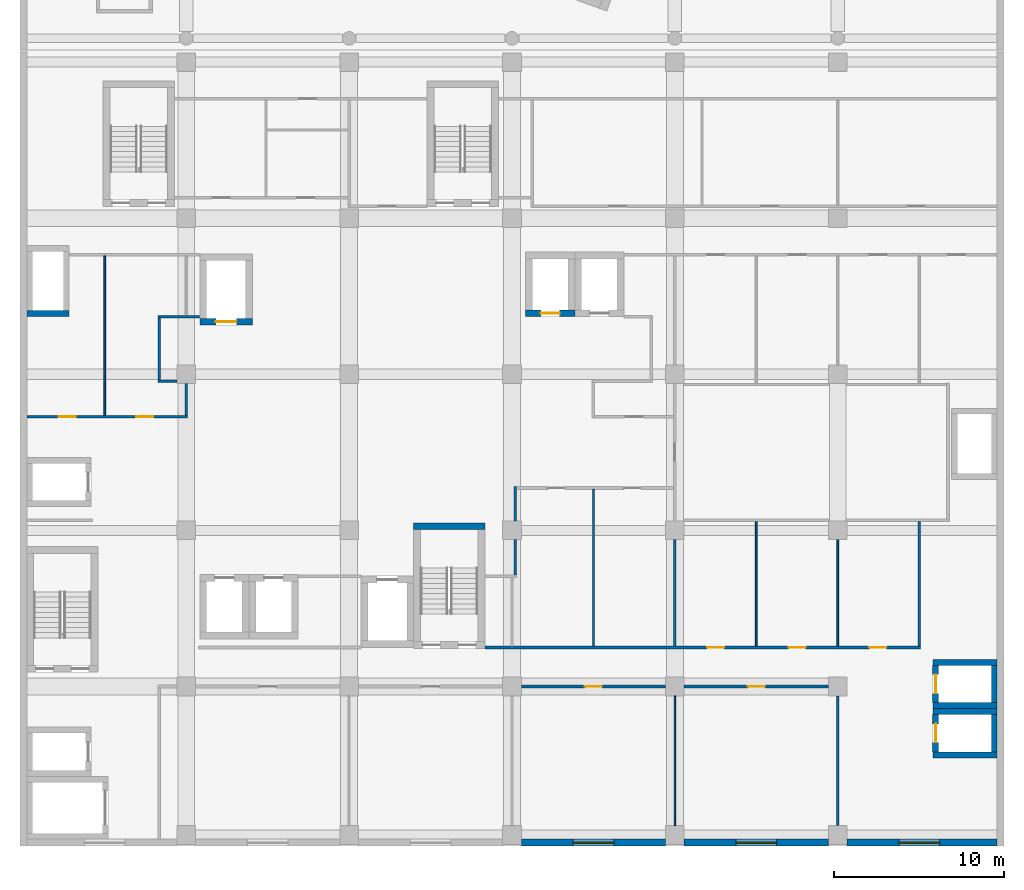
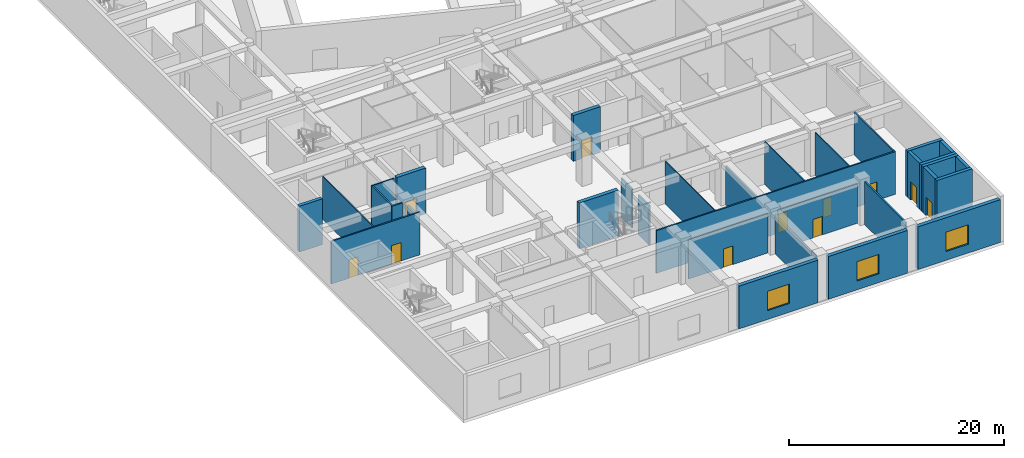
# One storey, part 9 of 31: 33 walls, 11 doors, 3 windows, 14 openings.
"""IFC4 building model written with IfcOpenShell, lengths in metres."""

import ifcopenshell
import ifcopenshell.guid

model = None  # the IFC model being written
_history = None  # IfcOwnerHistory: only IFC2X3 demands one
_inside = {}  # id of a spatial element -> (the spatial element, [elements in it])
_under = {}  # id of a project, library or spatial element -> (it, [spatial elements below it])
_declared = {}  # id of a project -> (the project, [libraries it declares])
_typed = {}  # id of a type object -> (the type object, [elements of that type])
_made_of = {}  # id of a material, layer set ... -> (it, [elements and type objects made of it])


def new_model(schema):
    """Start an empty IFC model of exactly this schema.

    Asked for "IFC4X3", IfcOpenShell would pick the latest addendum, in which some entities
    have other attributes; the version numbers below select the first issue.
    IFC2X3 requires an IfcOwnerHistory on every rooted entity: one is made here for all.
    """
    global model, _history
    if schema == "IFC4X3":
        model = ifcopenshell.file(schema_version=(4, 3, 0, 0))
    else:
        model = ifcopenshell.file(schema=schema)
    _inside.clear()
    _under.clear()
    _declared.clear()
    _typed.clear()
    _made_of.clear()
    _history = None
    if model.schema == "IFC2X3":
        org = make("IfcOrganization", Name="unknown")
        user = make(
            "IfcPersonAndOrganization",
            ThePerson=make("IfcPerson", FamilyName="unknown"),
            TheOrganization=org,
        )
        app = make(
            "IfcApplication",
            ApplicationDeveloper=org,
            Version="unknown",
            ApplicationFullName="unknown",
            ApplicationIdentifier="unknown",
        )
        _history = make(
            "IfcOwnerHistory",
            OwningUser=user,
            OwningApplication=app,
            ChangeAction="ADDED",
            CreationDate=0,
        )
    return model


def make(cls, **values):
    """One entity of the class cls with the attributes given. An attribute that is None is left unset."""
    return model.create_entity(
        cls, **{name: value for name, value in values.items() if value is not None}
    )


def rooted(cls, **values):
    """An entity with a GlobalId (a new one), such as an element, a storey or a relation."""
    return make(cls, GlobalId=ifcopenshell.guid.new(), OwnerHistory=_history, **values)


def si_unit(unit_type, name, prefix=None):
    """IfcSIUnit, for example si_unit("LENGTHUNIT", "METRE", prefix="MILLI")."""
    return make("IfcSIUnit", UnitType=unit_type, Prefix=prefix, Name=name)


def assignment(units):
    """IfcUnitAssignment: the units of a project."""
    return None if units is None else make("IfcUnitAssignment", Units=units)


def point(xyz):
    """IfcCartesianPoint."""
    return None if xyz is None else make("IfcCartesianPoint", Coordinates=xyz)


def direction(xyz):
    """IfcDirection."""
    return None if xyz is None else make("IfcDirection", DirectionRatios=xyz)


def frame(location, z_axis=None, x_axis=None):
    """IfcAxis2Placement3D, a coordinate frame: its origin and axes. An axis left out is left unset."""
    return make(
        "IfcAxis2Placement3D",
        Location=point(location),
        Axis=direction(z_axis),
        RefDirection=direction(x_axis),
    )


def frame_2d(location, x_axis=None):
    """IfcAxis2Placement2D, a coordinate frame in the plane: its origin and x axis."""
    return make(
        "IfcAxis2Placement2D", Location=point(location), RefDirection=direction(x_axis)
    )


def origin():
    """The frame at (0, 0, 0) with its axes left unset."""
    return frame((0.0, 0.0, 0.0))


def place(relative_to, where):
    """IfcLocalPlacement: puts the frame where relative to a parent placement (None: the world)."""
    return make(
        "IfcLocalPlacement", PlacementRelTo=relative_to, RelativePlacement=where
    )


def context(
    kind, dimensions, precision=None, world=None, true_north=None, identifier=None
):
    """IfcGeometricRepresentationContext, for example the 3D "Model" context."""
    return make(
        "IfcGeometricRepresentationContext",
        ContextIdentifier=identifier,
        ContextType=kind,
        CoordinateSpaceDimension=dimensions,
        Precision=precision,
        WorldCoordinateSystem=world,
        TrueNorth=true_north,
    )


def subcontext(parent, identifier, kind, view, scale=None):
    """IfcGeometricRepresentationSubContext, for example "Body" below "Model"."""
    return make(
        "IfcGeometricRepresentationSubContext",
        ContextIdentifier=identifier,
        ContextType=kind,
        ParentContext=parent,
        TargetScale=scale,
        TargetView=view,
    )


def project(units=None, contexts=None):
    """IfcProject with its units and contexts."""
    return rooted(
        "IfcProject",
        Name="project",
        RepresentationContexts=contexts,
        UnitsInContext=assignment(units),
    )


def spatial(cls, under=None, at=None, **own):
    """A site, building, storey or space (cls), placed at a placement, below another one or the project."""
    s = rooted(cls, ObjectPlacement=at, **own)
    if under is not None:
        _under.setdefault(under.id(), (under, []))[1].append(s)
    return s


def profile(cls, at=None, kind="AREA", **sizes):
    """A parametric profile (cls). Its sizes go by their IFC names, for example OverallWidth=200.0."""
    return make(cls, ProfileType=kind, Position=at, **sizes)


def rectangle(**sizes):
    """IfcRectangleProfileDef."""
    return profile("IfcRectangleProfileDef", **sizes)


def extrude(swept, where, along, depth):
    """IfcExtrudedAreaSolid: the profile swept, set in the frame where, extruded along a direction by depth."""
    return make(
        "IfcExtrudedAreaSolid",
        SweptArea=swept,
        Position=where,
        ExtrudedDirection=direction(along),
        Depth=depth,
    )


def shape(context_of_items, identifier, shape_type, items):
    """IfcShapeRepresentation: the items that make up one representation, for example the "Body"."""
    return make(
        "IfcShapeRepresentation",
        ContextOfItems=context_of_items,
        RepresentationIdentifier=identifier,
        RepresentationType=shape_type,
        Items=items,
    )


def material(Name=None, Category=None):
    """IfcMaterial."""
    return make("IfcMaterial", Name=Name, Category=Category)


def layer(
    of_material, thickness, ventilated=None, Name=None, Category=None, Priority=None
):
    """IfcMaterialLayer: one layer of a wall or slab, of a material (None: an air gap)."""
    return make(
        "IfcMaterialLayer",
        Material=of_material,
        LayerThickness=thickness,
        IsVentilated=ventilated,
        Name=Name,
        Category=Category,
        Priority=Priority,
    )


def layer_set(layers, Name=None):
    """IfcMaterialLayerSet."""
    return make("IfcMaterialLayerSet", MaterialLayers=layers, LayerSetName=Name)


def layer_usage(for_layer_set, set_direction, sense, offset, extent=None):
    """IfcMaterialLayerSetUsage: how a layer set lies in its element."""
    return make(
        "IfcMaterialLayerSetUsage",
        ForLayerSet=for_layer_set,
        LayerSetDirection=set_direction,
        DirectionSense=sense,
        OffsetFromReferenceLine=offset,
        ReferenceExtent=extent,
    )


def made_of(thing, what):
    """Note that an element or type object is made of a material, layer set ...; save() writes the relation."""
    if what is not None:
        _made_of.setdefault(what.id(), (what, []))[1].append(thing)
    return thing


def type_object(cls, material=None, **own):
    """A type object (cls), such as IfcWallType, which elements share."""
    return made_of(rooted(cls, **own), material)


def element(
    cls,
    number,
    at=None,
    inside=None,
    cuts=None,
    type_object=None,
    material=None,
    context=None,
    identifier="Body",
    shape_type=None,
    held_by="IfcProductDefinitionShape",
    body=None,
    shapes=None,
    **own,
):
    """One element of the class cls, such as IfcWall. Its Tag is "e" and its number.

    at: its placement. inside: the storey or other place that contains it. cuts: it is an
    opening in that element (IfcRelVoidsElement). A single representation is given by context,
    identifier, shape_type and body (its items); several are given by shapes. held_by: the class
    of the entity that holds the representations. save() writes the other relations.
    """
    e = rooted(cls, Tag="e%d" % number, ObjectPlacement=at, **own)
    if body is not None:
        shapes = [shape(context, identifier, shape_type, body)]
    if shapes is not None:
        e.Representation = make(held_by, Representations=shapes)
    if inside is not None:
        _inside.setdefault(inside.id(), (inside, []))[1].append(e)
    if cuts is not None:
        rooted(
            "IfcRelVoidsElement", RelatingBuildingElement=cuts, RelatedOpeningElement=e
        )
    if type_object is not None:
        _typed.setdefault(type_object.id(), (type_object, []))[1].append(e)
    return made_of(e, material)


def fill(opening, filler):
    """IfcRelFillsElement: the door or window that sits in an opening."""
    return rooted(
        "IfcRelFillsElement",
        RelatingOpeningElement=opening,
        RelatedBuildingElement=filler,
    )


def aggregate(whole, parts):
    """IfcRelAggregates: a whole, such as a stair, and the parts it consists of."""
    return rooted("IfcRelAggregates", RelatingObject=whole, RelatedObjects=parts)


def save(model, path):
    """Write the relations noted so far, then the file.

    IfcRelAggregates (storeys below a building ...), IfcRelContainedInSpatialStructure (elements
    in a storey), IfcRelDefinesByType, IfcRelAssociatesMaterial and IfcRelDeclares: one each for
    every whole, place, type object, material and project.
    """
    for whole, parts in _under.values():
        aggregate(whole, parts)
    for where, things in _inside.values():
        rooted(
            "IfcRelContainedInSpatialStructure",
            RelatedElements=things,
            RelatingStructure=where,
        )
    for kind, things in _typed.values():
        rooted("IfcRelDefinesByType", RelatedObjects=things, RelatingType=kind)
    for what, things in _made_of.values():
        rooted("IfcRelAssociatesMaterial", RelatedObjects=things, RelatingMaterial=what)
    for by, libraries in _declared.values():
        rooted("IfcRelDeclares", RelatingContext=by, RelatedDefinitions=libraries)
    model.write(path)


model = new_model("IFC4")

# Units and contexts
model_context = context("Model", 3, precision=1e-05, world=origin(), true_north=direction((0.0, 1.0)))
body_context = subcontext(model_context, "Body", "Model", "MODEL_VIEW")
ifc_project = project(units=[si_unit("LENGTHUNIT", "METRE"), si_unit("AREAUNIT", "SQUARE_METRE"), si_unit("VOLUMEUNIT", "CUBIC_METRE"), si_unit("PLANEANGLEUNIT", "RADIAN"), si_unit("MASSUNIT", "GRAM", prefix="KILO")], contexts=[model_context])

# Site, building, storey
site_placement = place(None, origin())
site = spatial("IfcSite", under=ifc_project, at=site_placement, CompositionType="ELEMENT")
building_placement = place(site_placement, origin())
building = spatial("IfcBuilding", under=site, at=building_placement, Name="Nzadi Deep Aquarium and Research Tower", CompositionType="ELEMENT")
storey_placement = place(building_placement, frame((0.0, 0.0, 26.699951171875)))
storey = spatial("IfcBuildingStorey", under=building, at=storey_placement, Name="L04", CompositionType="ELEMENT", Elevation=26.699951171875)

# Walls
ifc_material_1 = material(Name="Blockwork masonry", Category="masonry")
ifc_layer_1 = layer(ifc_material_1, 0.10009765625)
ifc_layer_set_1 = layer_set([ifc_layer_1], Name="Blockwork masonry")
wall_type_1 = type_object("IfcWallType", Name="Partition 100 EI 30", PredefinedType="PARTITIONING", material=ifc_layer_set_1)
wall_1_placement = place(storey_placement, frame((4.800048828125, 25.175048828125, 0.0), z_axis=(0.0, 0.0, 1.0), x_axis=(0.0, 1.0, 0.0)))
element("IfcWall", 1, at=wall_1_placement, inside=storey, type_object=wall_type_1, Name="W-Z1-L04-P004", PredefinedType="PARTITIONING", context=body_context, shape_type="SweptSolid", body=[
    extrude(rectangle(XDim=9.39990234375, YDim=0.10009765625, at=frame_2d((4.699951171875, 0.0))), origin(), (0.0, 0.0, 1.0), 4.85009765625),
])
wall_2_placement = place(storey_placement, frame((33.60009765625, 11.574951171875, 0.0), z_axis=(0.0, 0.0, 1.0), x_axis=(0.0, 1.0, 0.0)))
element("IfcWall", 2, at=wall_2_placement, inside=storey, type_object=wall_type_1, Name="W-Z1-L04-P037", PredefinedType="PARTITIONING", context=body_context, shape_type="SweptSolid", body=[
    extrude(rectangle(XDim=9.25, YDim=0.10009765625, at=frame_2d((4.625, 0.0))), origin(), (0.0, 0.0, 1.0), 4.85009765625),
])
wall_3_placement = place(storey_placement, frame((43.199951171875, 11.574951171875, 0.0), z_axis=(0.0, 0.0, 1.0), x_axis=(0.0, 1.0, 0.0)))
element("IfcWall", 3, at=wall_3_placement, inside=storey, type_object=wall_type_1, Name="W-Z1-L04-P050", PredefinedType="PARTITIONING", context=body_context, shape_type="SweptSolid", body=[
    extrude(rectangle(XDim=7.35009765625, YDim=0.10009765625, at=frame_2d((3.675048828125, 0.0))), origin(), (0.0, 0.0, 1.0), 4.85009765625),
])
wall_4_placement = place(storey_placement, frame((48.0, 11.574951171875, 0.0), z_axis=(0.0, 0.0, 1.0), x_axis=(0.0, 1.0, 0.0)))
element("IfcWall", 4, at=wall_4_placement, inside=storey, type_object=wall_type_1, Name="W-Z1-L04-P053", PredefinedType="PARTITIONING", context=body_context, shape_type="SweptSolid", body=[
    extrude(rectangle(XDim=6.275146484375, YDim=0.10009765625, at=frame_2d((3.1376953125, 0.0))), origin(), (0.0, 0.0, 1.0), 4.85009765625),
])
ifc_material_2 = material(Name="Blockwork masonry", Category="masonry")
ifc_layer_2 = layer(ifc_material_2, 0.10009765625)
ifc_layer_set_2 = layer_set([ifc_layer_2], Name="Blockwork masonry")
wall_type_2 = type_object("IfcWallType", Name="Partition 100 EI 30, 4.45 m high", PredefinedType="PARTITIONING", material=ifc_layer_set_2)
wall_5_placement = place(storey_placement, frame((38.39990234375, 1.0, 0.0), z_axis=(0.0, 0.0, 1.0), x_axis=(0.0, 1.0, 0.0)))
element("IfcWall", 5, at=wall_5_placement, inside=storey, type_object=wall_type_2, Name="W-Z1-L04-P045", PredefinedType="PARTITIONING", context=body_context, shape_type="SweptSolid", body=[
    extrude(rectangle(XDim=7.64990234375, YDim=0.10009765625, at=frame_2d((3.824951171875, 0.0))), origin(), (0.0, 0.0, 1.0), 4.449951171875),
])

# Wall, openings, doors
ifc_material_3 = material(Name="Blockwork masonry", Category="masonry")
ifc_layer_3 = layer(ifc_material_3, 0.14990234375)
ifc_layer_set_3 = layer_set([ifc_layer_3], Name="Blockwork masonry")
wall_type_3 = type_object("IfcWallType", Name="Partition 150 EI 60", PredefinedType="PARTITIONING", material=ifc_layer_set_3)
wall_6_placement = place(storey_placement, frame((0.2060546875, 25.10009765625, 0.0), z_axis=(0.0, 0.0, 1.0), x_axis=(1.0, 0.0, 0.0)))
wall_6 = element("IfcWall", 6, at=wall_6_placement, inside=storey, type_object=wall_type_3, Name="W-Z1-L04-P002", PredefinedType="PARTITIONING", context=body_context, shape_type="SweptSolid", body=[
    extrude(rectangle(XDim=9.468994140625, YDim=0.14990234375, at=frame_2d((4.734375, 0.0))), origin(), (0.0, 0.0, 1.0), 4.85009765625),
])
opening_1_placement = place(wall_6_placement, frame((1.868896484375, 0.0, 0.0)))
opening_1 = element("IfcOpeningElement", 7, at=opening_1_placement, cuts=wall_6, Name="Opening D051006", PredefinedType="OPENING", context=body_context, shape_type="SweptSolid", body=[
    extrude(rectangle(XDim=1.0, YDim=2.10009765625, at=frame_2d((0.5, 1.050048828125))), frame((0.0, 0.0849609375, 0.0), z_axis=(0.0, -1.0, 0.0), x_axis=(1.0, 0.0, 0.0)), (0.0, 0.0, 1.0), 0.169921875),
])
opening_2_placement = place(wall_6_placement, frame((6.458984375, 0.0, 0.0)))
opening_2 = element("IfcOpeningElement", 8, at=opening_2_placement, cuts=wall_6, Name="Opening D051007", PredefinedType="OPENING", context=body_context, shape_type="SweptSolid", body=[
    extrude(rectangle(XDim=1.0, YDim=2.10009765625, at=frame_2d((0.5, 1.050048828125))), frame((0.0, 0.0849609375, 0.0), z_axis=(0.0, -1.0, 0.0), x_axis=(1.0, 0.0, 0.0)), (0.0, 0.0, 1.0), 0.169921875),
])
ifc_material_4 = material(Name="Fire-rated steel door", Category="steel")
ifc_layer_4 = layer(ifc_material_4, 0.050048828125)
ifc_layer_set_4 = layer_set([ifc_layer_4], Name="Fire-rated steel door")
door_type_1 = type_object("IfcDoorType", Name="Door 1000x2100 EI 60 single", OperationType="SINGLE_SWING_LEFT", PredefinedType="DOOR", material=ifc_layer_set_4)
door_1_placement = place(opening_1_placement, origin())
door_1 = element("IfcDoor", 9, at=door_1_placement, inside=storey, type_object=door_type_1, Name="D051006", OperationType="SINGLE_SWING_LEFT", OverallHeight=2.10009765625, OverallWidth=1.0, PredefinedType="DOOR", context=body_context, shape_type="SweptSolid", body=[
    extrude(rectangle(XDim=1.0, YDim=2.10009765625, at=frame_2d((0.5, 1.050048828125))), frame((0.0, 0.02490234375, 0.0), z_axis=(0.0, -1.0, 0.0), x_axis=(1.0, 0.0, 0.0)), (0.0, 0.0, 1.0), 0.050048828125),
])
fill(opening_1, door_1)
door_2_placement = place(opening_2_placement, origin())
door_2 = element("IfcDoor", 10, at=door_2_placement, inside=storey, type_object=door_type_1, Name="D051007", OperationType="SINGLE_SWING_RIGHT", OverallHeight=2.10009765625, OverallWidth=1.0, PredefinedType="DOOR", context=body_context, shape_type="SweptSolid", body=[
    extrude(rectangle(XDim=1.0, YDim=2.10009765625, at=frame_2d((0.5, 1.050048828125))), frame((0.0, 0.02490234375, 0.0), z_axis=(0.0, -1.0, 0.0), x_axis=(1.0, 0.0, 0.0)), (0.0, 0.0, 1.0), 0.050048828125),
])
fill(opening_2, door_2)

# Walls
wall_7_placement = place(storey_placement, frame((7.925048828125, 27.199951171875, 0.0), z_axis=(0.0, 0.0, 1.0), x_axis=(1.0, 0.0, 0.0)))
element("IfcWall", 11, at=wall_7_placement, inside=storey, type_object=wall_type_3, Name="W-Z1-L04-P007", PredefinedType="PARTITIONING", context=body_context, shape_type="SweptSolid", body=[
    extrude(rectangle(XDim=1.125, YDim=0.14990234375, at=frame_2d((0.5625, 0.0))), origin(), (0.0, 0.0, 1.0), 4.85009765625),
])
wall_8_placement = place(storey_placement, frame((8.0, 27.27490234375, 0.0), z_axis=(0.0, 0.0, 1.0), x_axis=(0.0, 1.0, 0.0)))
element("IfcWall", 12, at=wall_8_placement, inside=storey, type_object=wall_type_3, Name="W-Z1-L04-P008", PredefinedType="PARTITIONING", context=body_context, shape_type="SweptSolid", body=[
    extrude(rectangle(XDim=3.650146484375, YDim=0.14990234375, at=frame_2d((1.8251953125, 0.0))), origin(), (0.0, 0.0, 1.0), 4.85009765625),
])
wall_9_placement = place(storey_placement, frame((7.925048828125, 31.0, 0.0), z_axis=(0.0, 0.0, 1.0), x_axis=(1.0, 0.0, 0.0)))
element("IfcWall", 13, at=wall_9_placement, inside=storey, type_object=wall_type_3, Name="W-Z1-L04-P009", PredefinedType="PARTITIONING", context=body_context, shape_type="SweptSolid", body=[
    extrude(rectangle(XDim=2.468994140625, YDim=0.14990234375, at=frame_2d((1.234375, 0.0))), origin(), (0.0, 0.0, 1.0), 4.85009765625),
])

# Wall, openings, doors
wall_10_placement = place(storey_placement, frame((27.2060546875, 11.5, 0.0), z_axis=(0.0, 0.0, 1.0), x_axis=(1.0, 0.0, 0.0)))
wall_10 = element("IfcWall", 14, at=wall_10_placement, inside=storey, type_object=wall_type_3, Name="W-Z1-L04-P023", PredefinedType="PARTITIONING", context=body_context, shape_type="SweptSolid", body=[
    extrude(rectangle(XDim=25.6689453125, YDim=0.14990234375, at=frame_2d((12.83447265625, 0.0))), origin(), (0.0, 0.0, 1.0), 4.85009765625),
])
opening_3_placement = place(wall_10_placement, frame((13.093994140625, 0.0, 0.0)))
opening_3 = element("IfcOpeningElement", 15, at=opening_3_placement, cuts=wall_10, Name="Opening D051003", PredefinedType="OPENING", context=body_context, shape_type="SweptSolid", body=[
    extrude(rectangle(XDim=1.0, YDim=2.10009765625, at=frame_2d((0.5, 1.050048828125))), frame((0.0, 0.0849609375, 0.0), z_axis=(0.0, -1.0, 0.0), x_axis=(1.0, 0.0, 0.0)), (0.0, 0.0, 1.0), 0.169921875),
])
opening_4_placement = place(wall_10_placement, frame((17.89404296875, 0.0, 0.0)))
opening_4 = element("IfcOpeningElement", 16, at=opening_4_placement, cuts=wall_10, Name="Opening D051004", PredefinedType="OPENING", context=body_context, shape_type="SweptSolid", body=[
    extrude(rectangle(XDim=1.0, YDim=2.10009765625, at=frame_2d((0.5, 1.050048828125))), frame((0.0, 0.0849609375, 0.0), z_axis=(0.0, -1.0, 0.0), x_axis=(1.0, 0.0, 0.0)), (0.0, 0.0, 1.0), 0.169921875),
])
opening_5_placement = place(wall_10_placement, frame((22.658935546875, 0.0, 0.0)))
opening_5 = element("IfcOpeningElement", 17, at=opening_5_placement, cuts=wall_10, Name="Opening D051005", PredefinedType="OPENING", context=body_context, shape_type="SweptSolid", body=[
    extrude(rectangle(XDim=1.0, YDim=2.10009765625, at=frame_2d((0.5, 1.050048828125))), frame((0.0, 0.0849609375, 0.0), z_axis=(0.0, -1.0, 0.0), x_axis=(1.0, 0.0, 0.0)), (0.0, 0.0, 1.0), 0.169921875),
])
door_3_placement = place(opening_3_placement, origin())
door_3 = element("IfcDoor", 18, at=door_3_placement, inside=storey, type_object=door_type_1, Name="D051003", OperationType="SINGLE_SWING_RIGHT", OverallHeight=2.10009765625, OverallWidth=1.0, PredefinedType="DOOR", context=body_context, shape_type="SweptSolid", body=[
    extrude(rectangle(XDim=1.0, YDim=2.10009765625, at=frame_2d((0.5, 1.050048828125))), frame((0.0, 0.02490234375, 0.0), z_axis=(0.0, -1.0, 0.0), x_axis=(1.0, 0.0, 0.0)), (0.0, 0.0, 1.0), 0.050048828125),
])
fill(opening_3, door_3)
door_4_placement = place(opening_4_placement, origin())
door_4 = element("IfcDoor", 19, at=door_4_placement, inside=storey, type_object=door_type_1, Name="D051004", OperationType="SINGLE_SWING_RIGHT", OverallHeight=2.10009765625, OverallWidth=1.0, PredefinedType="DOOR", context=body_context, shape_type="SweptSolid", body=[
    extrude(rectangle(XDim=1.0, YDim=2.10009765625, at=frame_2d((0.5, 1.050048828125))), frame((0.0, 0.02490234375, 0.0), z_axis=(0.0, -1.0, 0.0), x_axis=(1.0, 0.0, 0.0)), (0.0, 0.0, 1.0), 0.050048828125),
])
fill(opening_4, door_4)
door_5_placement = place(opening_5_placement, origin())
door_5 = element("IfcDoor", 20, at=door_5_placement, inside=storey, type_object=door_type_1, Name="D051005", OperationType="SINGLE_SWING_RIGHT", OverallHeight=2.10009765625, OverallWidth=1.0, PredefinedType="DOOR", context=body_context, shape_type="SweptSolid", body=[
    extrude(rectangle(XDim=1.0, YDim=2.10009765625, at=frame_2d((0.5, 1.050048828125))), frame((0.0, 0.02490234375, 0.0), z_axis=(0.0, -1.0, 0.0), x_axis=(1.0, 0.0, 0.0)), (0.0, 0.0, 1.0), 0.050048828125),
])
fill(opening_5, door_5)

# Walls
wall_11_placement = place(storey_placement, frame((48.0, 1.0, 0.0), z_axis=(0.0, 0.0, 1.0), x_axis=(0.0, 1.0, 0.0)))
element("IfcWall", 21, at=wall_11_placement, inside=storey, type_object=wall_type_3, Name="W-Z1-L04-P052", PredefinedType="PARTITIONING", context=body_context, shape_type="SweptSolid", body=[
    extrude(rectangle(XDim=7.64990234375, YDim=0.14990234375, at=frame_2d((3.824951171875, 0.0))), origin(), (0.0, 0.0, 1.0), 4.85009765625),
])
wall_12_placement = place(storey_placement, frame((52.800048828125, 11.574951171875, 0.0), z_axis=(0.0, 0.0, 1.0), x_axis=(0.0, 1.0, 0.0)))
element("IfcWall", 22, at=wall_12_placement, inside=storey, type_object=wall_type_3, Name="W-Z1-L04-P058", PredefinedType="PARTITIONING", context=body_context, shape_type="SweptSolid", body=[
    extrude(rectangle(XDim=7.35009765625, YDim=0.14990234375, at=frame_2d((3.675048828125, 0.0))), origin(), (0.0, 0.0, 1.0), 4.85009765625),
])
ifc_material_5 = material(Name="Blockwork masonry", Category="masonry")
ifc_layer_5 = layer(ifc_material_5, 0.14990234375)
ifc_layer_set_5 = layer_set([ifc_layer_5], Name="Blockwork masonry")
wall_type_4 = type_object("IfcWallType", Name="Partition 150 EI 60, 4.45 m high", PredefinedType="PARTITIONING", material=ifc_layer_set_5)
wall_13_placement = place(storey_placement, frame((9.60009765625, 25.175048828125, 0.0), z_axis=(0.0, 0.0, 1.0), x_axis=(0.0, 1.0, 0.0)))
element("IfcWall", 23, at=wall_13_placement, inside=storey, type_object=wall_type_4, Name="W-Z1-L04-P012", PredefinedType="PARTITIONING", context=body_context, shape_type="SweptSolid", body=[
    extrude(rectangle(XDim=1.875, YDim=0.14990234375, at=frame_2d((0.9375, 0.0))), origin(), (0.0, 0.0, 1.0), 4.449951171875),
])
wall_14_placement = place(storey_placement, frame((29.0, 15.77490234375, 0.0), z_axis=(0.0, 0.0, 1.0), x_axis=(0.0, 1.0, 0.0)))
element("IfcWall", 24, at=wall_14_placement, inside=storey, type_object=wall_type_4, Name="W-Z1-L04-P029", PredefinedType="PARTITIONING", context=body_context, shape_type="SweptSolid", body=[
    extrude(rectangle(XDim=2.0751953125, YDim=0.14990234375, at=frame_2d((1.03759765625, 0.0))), origin(), (0.0, 0.0, 1.0), 4.449951171875),
])
wall_15_placement = place(storey_placement, frame((29.0, 18.949951171875, 0.0), z_axis=(0.0, 0.0, 1.0), x_axis=(0.0, 1.0, 0.0)))
element("IfcWall", 25, at=wall_15_placement, inside=storey, type_object=wall_type_4, Name="W-Z1-L04-P030", PredefinedType="PARTITIONING", context=body_context, shape_type="SweptSolid", body=[
    extrude(rectangle(XDim=2.025146484375, YDim=0.14990234375, at=frame_2d((1.0126953125, 0.0))), origin(), (0.0, 0.0, 1.0), 4.449951171875),
])

# Wall, opening, door
wall_16_placement = place(storey_placement, frame((29.35009765625, 9.199951171875, 0.0), z_axis=(0.0, 0.0, 1.0), x_axis=(1.0, 0.0, 0.0)))
wall_16 = element("IfcWall", 26, at=wall_16_placement, inside=storey, type_object=wall_type_4, Name="W-Z1-L04-P032", PredefinedType="PARTITIONING", context=body_context, shape_type="SweptSolid", body=[
    extrude(rectangle(XDim=8.5, YDim=0.14990234375, at=frame_2d((4.25, 0.0))), origin(), (0.0, 0.0, 1.0), 4.449951171875),
])
opening_6_placement = place(wall_16_placement, frame((3.75, 0.0, 0.0)))
opening_6 = element("IfcOpeningElement", 27, at=opening_6_placement, cuts=wall_16, Name="Opening D051015", PredefinedType="OPENING", context=body_context, shape_type="SweptSolid", body=[
    extrude(rectangle(XDim=1.0, YDim=2.10009765625, at=frame_2d((0.5, 1.050048828125))), frame((0.0, 0.0849609375, 0.0), z_axis=(0.0, -1.0, 0.0), x_axis=(1.0, 0.0, 0.0)), (0.0, 0.0, 1.0), 0.169921875),
])
door_6_placement = place(opening_6_placement, origin())
door_6 = element("IfcDoor", 28, at=door_6_placement, inside=storey, type_object=door_type_1, Name="D051015", OperationType="SINGLE_SWING_RIGHT", OverallHeight=2.10009765625, OverallWidth=1.0, PredefinedType="DOOR", context=body_context, shape_type="SweptSolid", body=[
    extrude(rectangle(XDim=1.0, YDim=2.10009765625, at=frame_2d((0.5, 1.050048828125))), frame((0.0, 0.02490234375, 0.0), z_axis=(0.0, -1.0, 0.0), x_axis=(1.0, 0.0, 0.0)), (0.0, 0.0, 1.0), 0.050048828125),
])
fill(opening_6, door_6)

# Wall
wall_17_placement = place(storey_placement, frame((38.39990234375, 11.574951171875, 0.0), z_axis=(0.0, 0.0, 1.0), x_axis=(0.0, 1.0, 0.0)))
element("IfcWall", 29, at=wall_17_placement, inside=storey, type_object=wall_type_4, Name="W-Z1-L04-P042", PredefinedType="PARTITIONING", context=body_context, shape_type="SweptSolid", body=[
    extrude(rectangle(XDim=6.275146484375, YDim=0.14990234375, at=frame_2d((3.1376953125, 0.0))), origin(), (0.0, 0.0, 1.0), 4.449951171875),
])

# Wall, opening, door
wall_18_placement = place(storey_placement, frame((38.949951171875, 9.199951171875, 0.0), z_axis=(0.0, 0.0, 1.0), x_axis=(1.0, 0.0, 0.0)))
wall_18 = element("IfcWall", 30, at=wall_18_placement, inside=storey, type_object=wall_type_4, Name="W-Z1-L04-P046", PredefinedType="PARTITIONING", context=body_context, shape_type="SweptSolid", body=[
    extrude(rectangle(XDim=8.5, YDim=0.14990234375, at=frame_2d((4.25, 0.0))), origin(), (0.0, 0.0, 1.0), 4.449951171875),
])
opening_7_placement = place(wall_18_placement, frame((3.75, 0.0, 0.0)))
opening_7 = element("IfcOpeningElement", 31, at=opening_7_placement, cuts=wall_18, Name="Opening D051016", PredefinedType="OPENING", context=body_context, shape_type="SweptSolid", body=[
    extrude(rectangle(XDim=1.0, YDim=2.10009765625, at=frame_2d((0.5, 1.050048828125))), frame((0.0, 0.0849609375, 0.0), z_axis=(0.0, -1.0, 0.0), x_axis=(1.0, 0.0, 0.0)), (0.0, 0.0, 1.0), 0.169921875),
])
door_7_placement = place(opening_7_placement, origin())
door_7 = element("IfcDoor", 32, at=door_7_placement, inside=storey, type_object=door_type_1, Name="D051016", OperationType="SINGLE_SWING_LEFT", OverallHeight=2.10009765625, OverallWidth=1.0, PredefinedType="DOOR", context=body_context, shape_type="SweptSolid", body=[
    extrude(rectangle(XDim=1.0, YDim=2.10009765625, at=frame_2d((0.5, 1.050048828125))), frame((0.0, 0.02490234375, 0.0), z_axis=(0.0, -1.0, 0.0), x_axis=(1.0, 0.0, 0.0)), (0.0, 0.0, 1.0), 0.050048828125),
])
fill(opening_7, door_7)

# Walls
ifc_material_6 = material(Name="Concrete C35/45", Category="concrete")
ifc_layer_6 = layer(ifc_material_6, 0.35009765625)
ifc_layer_set_6 = layer_set([ifc_layer_6], Name="Concrete C35/45")
wall_type_5 = type_object("IfcWallType", Name="RC core wall 350", PredefinedType="SHEAR", material=ifc_layer_set_6)
for number, where, z_axis, x_axis, name in (
    (33, (53.60009765625, 5.175048828125, 0.0), (0.0, 0.0, 1.0), (1.0, 0.0, 0.0), "W-CORE-EL2-L04-S"),
    (34, (53.60009765625, 7.72509765625, 0.0), (0.0, 0.0, 1.0), (1.0, 0.0, 0.0), "W-CORE-EL2-L04-N"),
):
    element("IfcWall", number, at=place(storey_placement, frame(where, z_axis=z_axis, x_axis=x_axis)), inside=storey, type_object=wall_type_5, Name=name, PredefinedType="SHEAR", context=body_context, shape_type="SweptSolid", body=[
        extrude(rectangle(XDim=3.7998046875, YDim=0.35009765625, at=frame_2d((1.89990234375, 0.0))), origin(), (0.0, 0.0, 1.0), 5.199951171875),
    ])

# Wall, opening, door
wall_19_placement = place(storey_placement, frame((53.77490234375, 5.35009765625, 0.0), z_axis=(0.0, 0.0, 1.0), x_axis=(0.0, 1.0, 0.0)))
wall_19 = element("IfcWall", 35, at=wall_19_placement, inside=storey, type_object=wall_type_5, Name="W-CORE-EL2-L04-W", PredefinedType="SHEAR", context=body_context, shape_type="SweptSolid", body=[
    extrude(rectangle(XDim=2.199951171875, YDim=0.35009765625, at=frame_2d((1.10009765625, 0.0))), origin(), (0.0, 0.0, 1.0), 5.199951171875),
])
opening_8_placement = place(wall_19_placement, frame((0.550048828125, 0.0, 0.0)))
opening_8 = element("IfcOpeningElement", 36, at=opening_8_placement, cuts=wall_19, Name="Opening LD-EL2-L04", PredefinedType="OPENING", context=body_context, shape_type="SweptSolid", body=[
    extrude(rectangle(XDim=1.10009765625, YDim=2.10009765625, at=frame_2d((0.550048828125, 1.050048828125))), frame((0.0, 0.18505859375, 0.0), z_axis=(0.0, -1.0, 0.0), x_axis=(1.0, 0.0, 0.0)), (0.0, 0.0, 1.0), 0.3701171875),
])
ifc_material_7 = material(Name="Stainless steel 1.4301", Category="steel")
door_type_2 = type_object("IfcDoorType", Name="LANDING DOOR 1100x2100", OperationType="DOUBLE_DOOR_SLIDING", PredefinedType="DOOR", material=ifc_material_7)
door_8_placement = place(opening_8_placement, origin())
door_8 = element("IfcDoor", 37, at=door_8_placement, inside=storey, type_object=door_type_2, Name="Landing door EL2 L04", OperationType="DOUBLE_DOOR_SLIDING", OverallHeight=2.10009765625, OverallWidth=1.10009765625, PredefinedType="DOOR", context=body_context, shape_type="SweptSolid", body=[
    extrude(rectangle(XDim=1.10009765625, YDim=2.10009765625, at=frame_2d((0.550048828125, 1.050048828125))), frame((0.0, 0.02490234375, 0.0), z_axis=(0.0, -1.0, 0.0), x_axis=(1.0, 0.0, 0.0)), (0.0, 0.0, 1.0), 0.050048828125),
])
fill(opening_8, door_8)

# Walls
wall_20_placement = place(storey_placement, frame((57.22509765625, 5.35009765625, 0.0), z_axis=(0.0, 0.0, 1.0), x_axis=(0.0, 1.0, 0.0)))
element("IfcWall", 38, at=wall_20_placement, inside=storey, type_object=wall_type_5, Name="W-CORE-EL2-L04-E", PredefinedType="SHEAR", context=body_context, shape_type="SweptSolid", body=[
    extrude(rectangle(XDim=2.199951171875, YDim=0.35009765625, at=frame_2d((1.10009765625, 0.0))), origin(), (0.0, 0.0, 1.0), 5.199951171875),
])
for number, where, z_axis, x_axis, name in (
    (39, (53.60009765625, 8.074951171875, 0.0), (0.0, 0.0, 1.0), (1.0, 0.0, 0.0), "W-CORE-PL2-L04-S"),
    (40, (53.60009765625, 10.625, 0.0), (0.0, 0.0, 1.0), (1.0, 0.0, 0.0), "W-CORE-PL2-L04-N"),
):
    element("IfcWall", number, at=place(storey_placement, frame(where, z_axis=z_axis, x_axis=x_axis)), inside=storey, type_object=wall_type_5, Name=name, PredefinedType="SHEAR", context=body_context, shape_type="SweptSolid", body=[
        extrude(rectangle(XDim=3.7998046875, YDim=0.35009765625, at=frame_2d((1.89990234375, 0.0))), origin(), (0.0, 0.0, 1.0), 5.199951171875),
    ])

# Wall, opening, door
wall_21_placement = place(storey_placement, frame((53.77490234375, 8.25, 0.0), z_axis=(0.0, 0.0, 1.0), x_axis=(0.0, 1.0, 0.0)))
wall_21 = element("IfcWall", 41, at=wall_21_placement, inside=storey, type_object=wall_type_5, Name="W-CORE-PL2-L04-W", PredefinedType="SHEAR", context=body_context, shape_type="SweptSolid", body=[
    extrude(rectangle(XDim=2.199951171875, YDim=0.35009765625, at=frame_2d((1.10009765625, 0.0))), origin(), (0.0, 0.0, 1.0), 5.199951171875),
])
opening_9_placement = place(wall_21_placement, frame((0.550048828125, 0.0, 0.0)))
opening_9 = element("IfcOpeningElement", 42, at=opening_9_placement, cuts=wall_21, Name="Opening LD-PL2-L04", PredefinedType="OPENING", context=body_context, shape_type="SweptSolid", body=[
    extrude(rectangle(XDim=1.10009765625, YDim=2.10009765625, at=frame_2d((0.550048828125, 1.050048828125))), frame((0.0, 0.18505859375, 0.0), z_axis=(0.0, -1.0, 0.0), x_axis=(1.0, 0.0, 0.0)), (0.0, 0.0, 1.0), 0.3701171875),
])
door_9_placement = place(opening_9_placement, origin())
door_9 = element("IfcDoor", 43, at=door_9_placement, inside=storey, type_object=door_type_2, Name="Landing door PL2 L04", OperationType="DOUBLE_DOOR_SLIDING", OverallHeight=2.10009765625, OverallWidth=1.10009765625, PredefinedType="DOOR", context=body_context, shape_type="SweptSolid", body=[
    extrude(rectangle(XDim=1.10009765625, YDim=2.10009765625, at=frame_2d((0.550048828125, 1.050048828125))), frame((0.0, 0.02490234375, 0.0), z_axis=(0.0, -1.0, 0.0), x_axis=(1.0, 0.0, 0.0)), (0.0, 0.0, 1.0), 0.050048828125),
])
fill(opening_9, door_9)

# Walls
wall_22_placement = place(storey_placement, frame((57.22509765625, 8.25, 0.0), z_axis=(0.0, 0.0, 1.0), x_axis=(0.0, 1.0, 0.0)))
element("IfcWall", 44, at=wall_22_placement, inside=storey, type_object=wall_type_5, Name="W-CORE-PL2-L04-E", PredefinedType="SHEAR", context=body_context, shape_type="SweptSolid", body=[
    extrude(rectangle(XDim=2.199951171875, YDim=0.35009765625, at=frame_2d((1.10009765625, 0.0))), origin(), (0.0, 0.0, 1.0), 5.199951171875),
])
wall_23_placement = place(storey_placement, frame((0.199951171875, 31.175048828125, 0.0), z_axis=(0.0, 0.0, 1.0), x_axis=(1.0, 0.0, 0.0)))
element("IfcWall", 45, at=wall_23_placement, inside=storey, type_object=wall_type_5, Name="W-CORE-RS-Z1-W-L04-S", PredefinedType="SHEAR", context=body_context, shape_type="SweptSolid", body=[
    extrude(rectangle(XDim=2.5, YDim=0.35009765625, at=frame_2d((1.25, 0.0))), origin(), (0.0, 0.0, 1.0), 5.199951171875),
])
ifc_material_8 = material(Name="Concrete C35/45", Category="concrete")
ifc_layer_7 = layer(ifc_material_8, 0.39990234375)
ifc_layer_set_7 = layer_set([ifc_layer_7], Name="Concrete C35/45")
wall_type_6 = type_object("IfcWallType", Name="RC core wall 400", PredefinedType="SHEAR", material=ifc_layer_set_7)
wall_24_placement = place(storey_placement, frame((23.0, 18.64990234375, 0.0), z_axis=(0.0, 0.0, 1.0), x_axis=(1.0, 0.0, 0.0)))
element("IfcWall", 46, at=wall_24_placement, inside=storey, type_object=wall_type_6, Name="W-CORE-ST-Z1-SE-L04-N", PredefinedType="SHEAR", context=body_context, shape_type="SweptSolid", body=[
    extrude(rectangle(XDim=4.199951171875, YDim=0.39990234375, at=frame_2d((2.10009765625, 0.0))), origin(), (0.0, 0.0, 1.0), 5.199951171875),
])

# Wall, opening, door
wall_25_placement = place(storey_placement, frame((10.39990234375, 30.699951171875, 0.0), z_axis=(0.0, 0.0, 1.0), x_axis=(1.0, 0.0, 0.0)))
wall_25 = element("IfcWall", 47, at=wall_25_placement, inside=storey, type_object=wall_type_6, Name="W-CORE-FL2-L04-S", PredefinedType="SHEAR", context=body_context, shape_type="SweptSolid", body=[
    extrude(rectangle(XDim=3.10009765625, YDim=0.39990234375, at=frame_2d((1.550048828125, 0.0))), origin(), (0.0, 0.0, 1.0), 5.199951171875),
])
opening_10_placement = place(wall_25_placement, frame((0.949951171875, 0.0, 0.0)))
opening_10 = element("IfcOpeningElement", 48, at=opening_10_placement, cuts=wall_25, Name="Opening LD-FL2-L04", PredefinedType="OPENING", context=body_context, shape_type="SweptSolid", body=[
    extrude(rectangle(XDim=1.199951171875, YDim=2.10009765625, at=frame_2d((0.60009765625, 1.050048828125))), frame((0.0, 0.2099609375, 0.0), z_axis=(0.0, -1.0, 0.0), x_axis=(1.0, 0.0, 0.0)), (0.0, 0.0, 1.0), 0.419921875),
])
ifc_material_9 = material(Name="Stainless steel 1.4301", Category="steel")
door_type_3 = type_object("IfcDoorType", Name="LANDING DOOR 1200x2100", OperationType="DOUBLE_DOOR_SLIDING", PredefinedType="DOOR", material=ifc_material_9)
door_10_placement = place(opening_10_placement, origin())
door_10 = element("IfcDoor", 49, at=door_10_placement, inside=storey, type_object=door_type_3, Name="Landing door FL2 L04", OperationType="DOUBLE_DOOR_SLIDING", OverallHeight=2.10009765625, OverallWidth=1.199951171875, PredefinedType="DOOR", context=body_context, shape_type="SweptSolid", body=[
    extrude(rectangle(XDim=1.199951171875, YDim=2.10009765625, at=frame_2d((0.60009765625, 1.050048828125))), frame((0.0, 0.02490234375, 0.0), z_axis=(0.0, -1.0, 0.0), x_axis=(1.0, 0.0, 0.0)), (0.0, 0.0, 1.0), 0.050048828125),
])
fill(opening_10, door_10)

wall_26_placement = place(storey_placement, frame((29.60009765625, 31.199951171875, 0.0), z_axis=(0.0, 0.0, 1.0), x_axis=(1.0, 0.0, 0.0)))
wall_26 = element("IfcWall", 50, at=wall_26_placement, inside=storey, type_object=wall_type_6, Name="W-CORE-TL3-L04-S", PredefinedType="SHEAR", context=body_context, shape_type="SweptSolid", body=[
    extrude(rectangle(XDim=2.89990234375, YDim=0.39990234375, at=frame_2d((1.449951171875, 0.0))), origin(), (0.0, 0.0, 1.0), 5.199951171875),
])
opening_11_placement = place(wall_26_placement, frame((0.89990234375, 0.0, 0.0)))
opening_11 = element("IfcOpeningElement", 51, at=opening_11_placement, cuts=wall_26, Name="Opening LD-TL3-L04", PredefinedType="OPENING", context=body_context, shape_type="SweptSolid", body=[
    extrude(rectangle(XDim=1.10009765625, YDim=2.10009765625, at=frame_2d((0.550048828125, 1.050048828125))), frame((0.0, 0.2099609375, 0.0), z_axis=(0.0, -1.0, 0.0), x_axis=(1.0, 0.0, 0.0)), (0.0, 0.0, 1.0), 0.419921875),
])
door_11_placement = place(opening_11_placement, origin())
door_11 = element("IfcDoor", 52, at=door_11_placement, inside=storey, type_object=door_type_2, Name="Landing door TL3 L04", OperationType="DOUBLE_DOOR_SLIDING", OverallHeight=2.10009765625, OverallWidth=1.10009765625, PredefinedType="DOOR", context=body_context, shape_type="SweptSolid", body=[
    extrude(rectangle(XDim=1.10009765625, YDim=2.10009765625, at=frame_2d((0.550048828125, 1.050048828125))), frame((0.0, 0.02490234375, 0.0), z_axis=(0.0, -1.0, 0.0), x_axis=(1.0, 0.0, 0.0)), (0.0, 0.0, 1.0), 0.050048828125),
])
fill(opening_11, door_11)

# Wall, opening, window
ifc_material_10 = material(Name="Concrete C35/45", Category="concrete")
ifc_layer_8 = layer(ifc_material_10, 0.25, Category="cladding")
ifc_material_11 = material(Name="Mineral wool insulation")
ifc_layer_9 = layer(ifc_material_11, 0.10009765625, Category="insulation")
ifc_material_12 = material(Name="Concrete block lining", Category="concrete")
ifc_layer_10 = layer(ifc_material_12, 0.050048828125, Category="lining")
ifc_layer_set_8 = layer_set([ifc_layer_8, ifc_layer_9, ifc_layer_10], Name="Concrete C35/45, Mineral wool insulation, Concrete block lining")
ifc_layer_usage_1 = layer_usage(ifc_layer_set_8, "AXIS2", "POSITIVE", -0.199951171875)
wall_type_7 = type_object("IfcWallType", Name="South end wall board-formed concrete 400", PredefinedType="ELEMENTEDWALL", material=ifc_layer_set_8)
wall_27_placement = place(storey_placement, frame((29.35009765625, 0.0, 0.0), z_axis=(0.0, 0.0, 1.0), x_axis=(1.0, 0.0, 0.0)))
wall_27 = element("IfcWall", 53, at=wall_27_placement, inside=storey, type_object=wall_type_7, material=ifc_layer_usage_1, Name="South end wall L04", PredefinedType="ELEMENTEDWALL", context=body_context, shape_type="SweptSolid", body=[
    extrude(rectangle(XDim=8.5, YDim=0.39990234375, at=frame_2d((4.25, 0.0))), origin(), (0.0, 0.0, 1.0), 4.85009765625),
])
opening_12_placement = place(wall_27_placement, frame((3.050048828125, 0.0, 1.0)))
opening_12 = element("IfcOpeningElement", 54, at=opening_12_placement, cuts=wall_27, Name="Opening WN09", PredefinedType="OPENING", context=body_context, shape_type="SweptSolid", body=[
    extrude(rectangle(XDim=2.39990234375, YDim=2.199951171875, at=frame_2d((1.199951171875, 1.10009765625))), frame((0.0, 0.2099609375, 0.0), z_axis=(0.0, -1.0, 0.0), x_axis=(1.0, 0.0, 0.0)), (0.0, 0.0, 1.0), 0.419921875),
])
ifc_material_13 = material(Name="Aluminium framed glazing", Category="aluminium")
window_type = type_object("IfcWindowType", Name="Punched window 2400x2200 sill 1000", PartitioningType="SINGLE_PANEL", PredefinedType="WINDOW", material=ifc_material_13)
window_1_placement = place(opening_12_placement, origin())
window_1 = element("IfcWindow", 55, at=window_1_placement, inside=storey, type_object=window_type, Name="Podium south face window L04", OverallHeight=2.199951171875, OverallWidth=2.39990234375, PartitioningType="SINGLE_PANEL", PredefinedType="WINDOW", context=body_context, shape_type="SweptSolid", body=[
    extrude(rectangle(XDim=2.39990234375, YDim=2.199951171875, at=frame_2d((1.199951171875, 1.10009765625))), frame((0.0, 0.030029296875, 0.0), z_axis=(0.0, -1.0, 0.0), x_axis=(1.0, 0.0, 0.0)), (0.0, 0.0, 1.0), 0.06005859375),
])
fill(opening_12, window_1)

ifc_layer_usage_2 = layer_usage(ifc_layer_set_8, "AXIS2", "POSITIVE", -0.199951171875)
wall_28_placement = place(storey_placement, frame((38.949951171875, 0.0, 0.0), z_axis=(0.0, 0.0, 1.0), x_axis=(1.0, 0.0, 0.0)))
wall_28 = element("IfcWall", 56, at=wall_28_placement, inside=storey, type_object=wall_type_7, material=ifc_layer_usage_2, Name="South end wall L04", PredefinedType="ELEMENTEDWALL", context=body_context, shape_type="SweptSolid", body=[
    extrude(rectangle(XDim=8.5, YDim=0.39990234375, at=frame_2d((4.25, 0.0))), origin(), (0.0, 0.0, 1.0), 4.85009765625),
])
opening_13_placement = place(wall_28_placement, frame((3.050048828125, 0.0, 1.0)))
opening_13 = element("IfcOpeningElement", 57, at=opening_13_placement, cuts=wall_28, Name="Opening WN09", PredefinedType="OPENING", context=body_context, shape_type="SweptSolid", body=[
    extrude(rectangle(XDim=2.39990234375, YDim=2.199951171875, at=frame_2d((1.199951171875, 1.10009765625))), frame((0.0, 0.2099609375, 0.0), z_axis=(0.0, -1.0, 0.0), x_axis=(1.0, 0.0, 0.0)), (0.0, 0.0, 1.0), 0.419921875),
])
window_2_placement = place(opening_13_placement, origin())
window_2 = element("IfcWindow", 58, at=window_2_placement, inside=storey, type_object=window_type, Name="Podium south face window L04", OverallHeight=2.199951171875, OverallWidth=2.39990234375, PartitioningType="SINGLE_PANEL", PredefinedType="WINDOW", context=body_context, shape_type="SweptSolid", body=[
    extrude(rectangle(XDim=2.39990234375, YDim=2.199951171875, at=frame_2d((1.199951171875, 1.10009765625))), frame((0.0, 0.030029296875, 0.0), z_axis=(0.0, -1.0, 0.0), x_axis=(1.0, 0.0, 0.0)), (0.0, 0.0, 1.0), 0.06005859375),
])
fill(opening_13, window_2)

ifc_layer_usage_3 = layer_usage(ifc_layer_set_8, "AXIS2", "POSITIVE", -0.199951171875)
wall_29_placement = place(storey_placement, frame((48.550048828125, 0.0, 0.0), z_axis=(0.0, 0.0, 1.0), x_axis=(1.0, 0.0, 0.0)))
wall_29 = element("IfcWall", 59, at=wall_29_placement, inside=storey, type_object=wall_type_7, material=ifc_layer_usage_3, Name="South end wall L04", PredefinedType="ELEMENTEDWALL", context=body_context, shape_type="SweptSolid", body=[
    extrude(rectangle(XDim=8.849853515625, YDim=0.39990234375, at=frame_2d((4.4248046875, 0.0))), origin(), (0.0, 0.0, 1.0), 4.85009765625),
])
opening_14_placement = place(wall_29_placement, frame((3.050048828125, 0.0, 1.0)))
opening_14 = element("IfcOpeningElement", 60, at=opening_14_placement, cuts=wall_29, Name="Opening WN09", PredefinedType="OPENING", context=body_context, shape_type="SweptSolid", body=[
    extrude(rectangle(XDim=2.39990234375, YDim=2.199951171875, at=frame_2d((1.199951171875, 1.10009765625))), frame((0.0, 0.2099609375, 0.0), z_axis=(0.0, -1.0, 0.0), x_axis=(1.0, 0.0, 0.0)), (0.0, 0.0, 1.0), 0.419921875),
])
window_3_placement = place(opening_14_placement, origin())
window_3 = element("IfcWindow", 61, at=window_3_placement, inside=storey, type_object=window_type, Name="Podium south face window L04", OverallHeight=2.199951171875, OverallWidth=2.39990234375, PartitioningType="SINGLE_PANEL", PredefinedType="WINDOW", context=body_context, shape_type="SweptSolid", body=[
    extrude(rectangle(XDim=2.39990234375, YDim=2.199951171875, at=frame_2d((1.199951171875, 1.10009765625))), frame((0.0, 0.030029296875, 0.0), z_axis=(0.0, -1.0, 0.0), x_axis=(1.0, 0.0, 0.0)), (0.0, 0.0, 1.0), 0.06005859375),
])
fill(opening_14, window_3)

save(model, "model.ifc")
